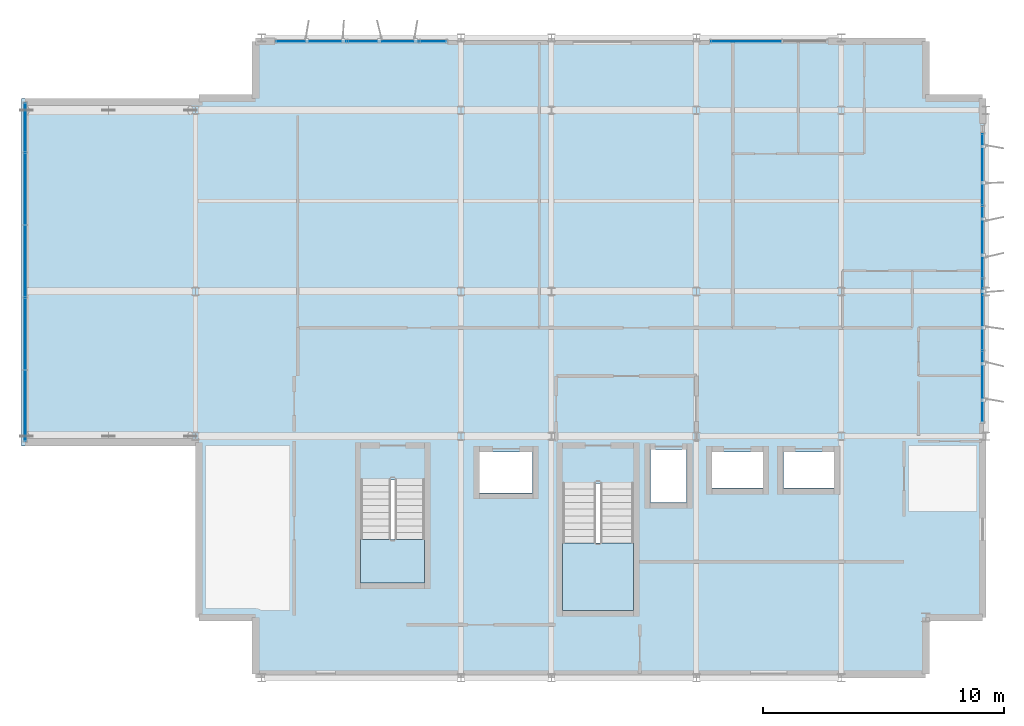
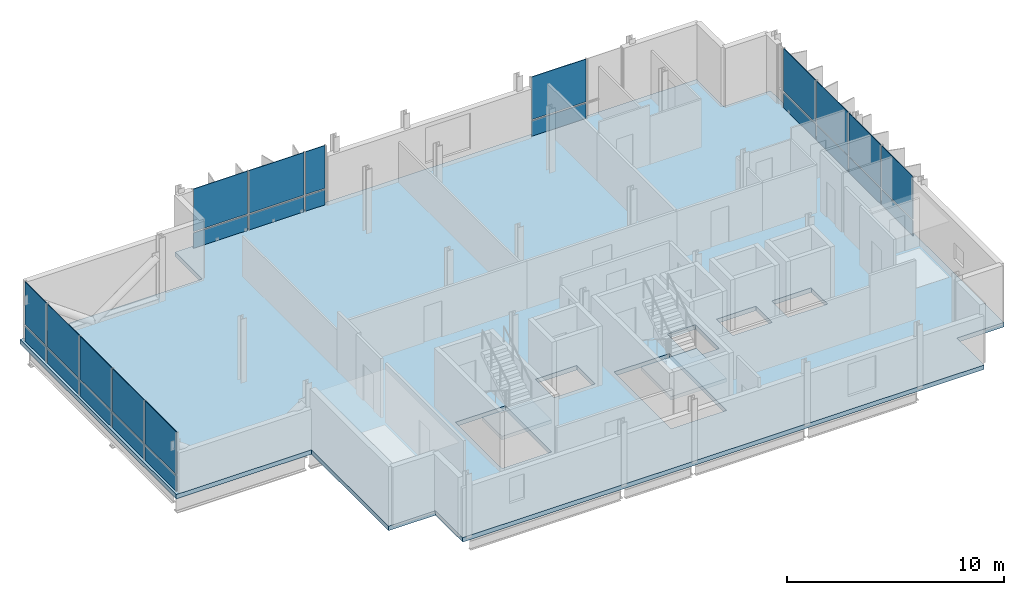
# One storey, part 10 of 18: 26 plates, 3 slabs, 6 elements without a shape of their own.
"""IFC4 building model written with IfcOpenShell, lengths in metres."""

from ifc_helpers import new_model, si_unit, direction, frame, origin, origin_2d, place, context, subcontext, project, spatial, polyline, rectangle, outline, extrude, material, layer, layer_set, type_object, element, aggregate, save


model = new_model("IFC4")

# Units and contexts
model_context = context("Model", 3, precision=1e-05, world=origin(), true_north=direction((0.0, 1.0)))
body_context = subcontext(model_context, "Body", "Model", "MODEL_VIEW")
ifc_project = project(units=[si_unit("LENGTHUNIT", "METRE"), si_unit("AREAUNIT", "SQUARE_METRE"), si_unit("VOLUMEUNIT", "CUBIC_METRE"), si_unit("PLANEANGLEUNIT", "RADIAN"), si_unit("MASSUNIT", "GRAM", prefix="KILO")], contexts=[model_context])

# Site, building, storey
site_placement = place(None, origin())
site = spatial("IfcSite", under=ifc_project, at=site_placement, CompositionType="ELEMENT")
building_placement = place(site_placement, origin())
building = spatial("IfcBuilding", under=site, at=building_placement, Name="Brevholm Reach", CompositionType="ELEMENT")
storey_placement = place(building_placement, frame((0.0, 0.0, 243.64990234375)))
storey = spatial("IfcBuildingStorey", under=building, at=storey_placement, Name="L74", CompositionType="ELEMENT", Elevation=243.64990234375)

# Curtain wall, plates
ifc_material_1 = material(Name="Dark Anodised Aluminium 6063-T6 and Solar-Control Glass", Category="aluminium")
ifc_layer_1 = layer(ifc_material_1, 0.179931640625)
ifc_layer_set_1 = layer_set([ifc_layer_1], Name="Dark Anodised Aluminium 6063-T6 and Solar-Control Glass")
curtain_wall_type = type_object("IfcCurtainWallType", Name="CW-05", PredefinedType="NOTDEFINED", material=ifc_layer_set_1)
curtain_wall_1_placement = place(storey_placement, origin())
curtain_wall_1 = element("IfcCurtainWall", 1, at=curtain_wall_1_placement, inside=storey, type_object=curtain_wall_type, Name="L74 Curtain Wall CW-05", PredefinedType="NOTDEFINED")
ifc_material_2 = material(Name="Low-Iron Laminated Acoustic Glass", Category="glass")
ifc_layer_2 = layer(ifc_material_2, 0.035888671875)
ifc_layer_set_2 = layer_set([ifc_layer_2], Name="Low-Iron Laminated Acoustic Glass")
plate_type = type_object("IfcPlateType", Name="CWP-GLZ-36", PredefinedType="CURTAIN_PANEL", material=ifc_layer_set_2)
plate_1_placement = place(storey_placement, frame((59.85009765625, 12.06884765625, 0.0), z_axis=(0.0, 0.0, 1.0), x_axis=(0.0, 1.0, 0.0)))
plate_1 = element("IfcPlate", 2, at=plate_1_placement, type_object=plate_type, Name="CP-02 Glazing Panel 1.1", PredefinedType="CURTAIN_PANEL", context=body_context, shape_type="SweptSolid", body=[
    extrude(rectangle(XDim=2.887451171875, YDim=0.035888671875, at=origin_2d()), origin(), (0.0, 0.0, 1.0), 0.862548828125),
])
plate_2_placement = place(storey_placement, frame((59.85009765625, 12.06884765625, 0.9375), z_axis=(0.0, 0.0, 1.0), x_axis=(0.0, 1.0, 0.0)))
plate_2 = element("IfcPlate", 3, at=plate_2_placement, type_object=plate_type, Name="CP-02 Glazing Panel 1.2", PredefinedType="CURTAIN_PANEL", context=body_context, shape_type="SweptSolid", body=[
    extrude(rectangle(XDim=2.887451171875, YDim=0.035888671875, at=origin_2d()), origin(), (0.0, 0.0, 1.0), 2.402587890625),
])
plate_3_placement = place(storey_placement, frame((59.85009765625, 15.050048828125, 0.0), z_axis=(0.0, 0.0, 1.0), x_axis=(0.0, 1.0, 0.0)))
plate_3 = element("IfcPlate", 4, at=plate_3_placement, type_object=plate_type, Name="CP-02 Glazing Panel 2.1", PredefinedType="CURTAIN_PANEL", context=body_context, shape_type="SweptSolid", body=[
    extrude(rectangle(XDim=2.925048828125, YDim=0.035888671875, at=origin_2d()), origin(), (0.0, 0.0, 1.0), 0.862548828125),
])
plate_4_placement = place(storey_placement, frame((59.85009765625, 15.050048828125, 0.9375), z_axis=(0.0, 0.0, 1.0), x_axis=(0.0, 1.0, 0.0)))
plate_4 = element("IfcPlate", 5, at=plate_4_placement, type_object=plate_type, Name="CP-02 Glazing Panel 2.2", PredefinedType="CURTAIN_PANEL", context=body_context, shape_type="SweptSolid", body=[
    extrude(rectangle(XDim=2.925048828125, YDim=0.035888671875, at=origin_2d()), origin(), (0.0, 0.0, 1.0), 2.402587890625),
])
plate_5_placement = place(storey_placement, frame((59.85009765625, 18.050048828125, 0.0), z_axis=(0.0, 0.0, 1.0), x_axis=(0.0, 1.0, 0.0)))
plate_5 = element("IfcPlate", 6, at=plate_5_placement, type_object=plate_type, Name="CP-02 Glazing Panel 3.1", PredefinedType="CURTAIN_PANEL", context=body_context, shape_type="SweptSolid", body=[
    extrude(rectangle(XDim=2.925048828125, YDim=0.035888671875, at=origin_2d()), origin(), (0.0, 0.0, 1.0), 0.862548828125),
])
plate_6_placement = place(storey_placement, frame((59.85009765625, 18.050048828125, 0.9375), z_axis=(0.0, 0.0, 1.0), x_axis=(0.0, 1.0, 0.0)))
plate_6 = element("IfcPlate", 7, at=plate_6_placement, type_object=plate_type, Name="CP-02 Glazing Panel 3.2", PredefinedType="CURTAIN_PANEL", context=body_context, shape_type="SweptSolid", body=[
    extrude(rectangle(XDim=2.925048828125, YDim=0.035888671875, at=origin_2d()), origin(), (0.0, 0.0, 1.0), 2.402587890625),
])
plate_7_placement = place(storey_placement, frame((59.85009765625, 21.050048828125, 0.0), z_axis=(0.0, 0.0, 1.0), x_axis=(0.0, 1.0, 0.0)))
plate_7 = element("IfcPlate", 8, at=plate_7_placement, type_object=plate_type, Name="CP-02 Glazing Panel 4.1", PredefinedType="CURTAIN_PANEL", context=body_context, shape_type="SweptSolid", body=[
    extrude(rectangle(XDim=2.925048828125, YDim=0.035888671875, at=origin_2d()), origin(), (0.0, 0.0, 1.0), 0.862548828125),
])
plate_8_placement = place(storey_placement, frame((59.85009765625, 21.050048828125, 0.9375), z_axis=(0.0, 0.0, 1.0), x_axis=(0.0, 1.0, 0.0)))
plate_8 = element("IfcPlate", 9, at=plate_8_placement, type_object=plate_type, Name="CP-02 Glazing Panel 4.2", PredefinedType="CURTAIN_PANEL", context=body_context, shape_type="SweptSolid", body=[
    extrude(rectangle(XDim=2.925048828125, YDim=0.035888671875, at=origin_2d()), origin(), (0.0, 0.0, 1.0), 2.402587890625),
])
aggregate(curtain_wall_1, [plate_1, plate_2, plate_3, plate_4, plate_5, plate_6, plate_7, plate_8])

curtain_wall_2_placement = place(storey_placement, origin())
curtain_wall_2 = element("IfcCurtainWall", 10, at=curtain_wall_2_placement, inside=storey, type_object=curtain_wall_type, Name="L74 Curtain Wall CW-05", PredefinedType="NOTDEFINED")
plate_9_placement = place(storey_placement, frame((32.06884765625, 26.35009765625, 0.0), z_axis=(0.0, 0.0, 1.0), x_axis=(1.0, 0.0, 0.0)))
plate_9 = element("IfcPlate", 11, at=plate_9_placement, type_object=plate_type, Name="CP-02 Glazing Panel 1.1", PredefinedType="CURTAIN_PANEL", context=body_context, shape_type="SweptSolid", body=[
    extrude(rectangle(XDim=2.887451171875, YDim=0.035888671875, at=origin_2d()), origin(), (0.0, 0.0, 1.0), 0.862548828125),
])
plate_10_placement = place(storey_placement, frame((32.06884765625, 26.35009765625, 0.9375), z_axis=(0.0, 0.0, 1.0), x_axis=(1.0, 0.0, 0.0)))
plate_10 = element("IfcPlate", 12, at=plate_10_placement, type_object=plate_type, Name="CP-02 Glazing Panel 1.2", PredefinedType="CURTAIN_PANEL", context=body_context, shape_type="SweptSolid", body=[
    extrude(rectangle(XDim=2.887451171875, YDim=0.035888671875, at=origin_2d()), origin(), (0.0, 0.0, 1.0), 2.402587890625),
])
plate_11_placement = place(storey_placement, frame((35.050048828125, 26.35009765625, 0.0), z_axis=(0.0, 0.0, 1.0), x_axis=(1.0, 0.0, 0.0)))
plate_11 = element("IfcPlate", 13, at=plate_11_placement, type_object=plate_type, Name="CP-02 Glazing Panel 2.1", PredefinedType="CURTAIN_PANEL", context=body_context, shape_type="SweptSolid", body=[
    extrude(rectangle(XDim=2.925048828125, YDim=0.035888671875, at=origin_2d()), origin(), (0.0, 0.0, 1.0), 0.862548828125),
])
plate_12_placement = place(storey_placement, frame((35.050048828125, 26.35009765625, 0.9375), z_axis=(0.0, 0.0, 1.0), x_axis=(1.0, 0.0, 0.0)))
plate_12 = element("IfcPlate", 14, at=plate_12_placement, type_object=plate_type, Name="CP-02 Glazing Panel 2.2", PredefinedType="CURTAIN_PANEL", context=body_context, shape_type="SweptSolid", body=[
    extrude(rectangle(XDim=2.925048828125, YDim=0.035888671875, at=origin_2d()), origin(), (0.0, 0.0, 1.0), 2.402587890625),
])
plate_13_placement = place(storey_placement, frame((37.106201171875, 26.35009765625, 0.0), z_axis=(0.0, 0.0, 1.0), x_axis=(1.0, 0.0, 0.0)))
plate_13 = element("IfcPlate", 15, at=plate_13_placement, type_object=plate_type, Name="CP-02 Glazing Panel 3.1", PredefinedType="CURTAIN_PANEL", context=body_context, shape_type="SweptSolid", body=[
    extrude(rectangle(XDim=1.03759765625, YDim=0.035888671875, at=origin_2d()), origin(), (0.0, 0.0, 1.0), 0.862548828125),
])
plate_14_placement = place(storey_placement, frame((37.106201171875, 26.35009765625, 0.9375), z_axis=(0.0, 0.0, 1.0), x_axis=(1.0, 0.0, 0.0)))
plate_14 = element("IfcPlate", 16, at=plate_14_placement, type_object=plate_type, Name="CP-02 Glazing Panel 3.2", PredefinedType="CURTAIN_PANEL", context=body_context, shape_type="SweptSolid", body=[
    extrude(rectangle(XDim=1.03759765625, YDim=0.035888671875, at=origin_2d()), origin(), (0.0, 0.0, 1.0), 2.402587890625),
])
aggregate(curtain_wall_2, [plate_9, plate_10, plate_11, plate_12, plate_13, plate_14])

curtain_wall_3_placement = place(storey_placement, origin())
curtain_wall_3 = element("IfcCurtainWall", 17, at=curtain_wall_3_placement, inside=storey, type_object=curtain_wall_type, Name="L74 Curtain Wall CW-05", PredefinedType="NOTDEFINED")
plate_15_placement = place(storey_placement, frame((50.06884765625, 26.35009765625, 0.0), z_axis=(0.0, 0.0, 1.0), x_axis=(1.0, 0.0, 0.0)))
plate_15 = element("IfcPlate", 18, at=plate_15_placement, type_object=plate_type, Name="CP-02 Glazing Panel 1.1", PredefinedType="CURTAIN_PANEL", context=body_context, shape_type="SweptSolid", body=[
    extrude(rectangle(XDim=2.887451171875, YDim=0.035888671875, at=origin_2d()), origin(), (0.0, 0.0, 1.0), 0.862548828125),
])
plate_16_placement = place(storey_placement, frame((50.06884765625, 26.35009765625, 0.9375), z_axis=(0.0, 0.0, 1.0), x_axis=(1.0, 0.0, 0.0)))
plate_16 = element("IfcPlate", 19, at=plate_16_placement, type_object=plate_type, Name="CP-02 Glazing Panel 1.2", PredefinedType="CURTAIN_PANEL", context=body_context, shape_type="SweptSolid", body=[
    extrude(rectangle(XDim=2.887451171875, YDim=0.035888671875, at=origin_2d()), origin(), (0.0, 0.0, 1.0), 2.402587890625),
])
aggregate(curtain_wall_3, [plate_15, plate_16])

curtain_wall_4_placement = place(storey_placement, origin())
curtain_wall_4 = element("IfcCurtainWall", 20, at=curtain_wall_4_placement, inside=storey, type_object=curtain_wall_type, Name="L74 Curtain Wall CW-05", PredefinedType="NOTDEFINED")
plate_17_placement = place(storey_placement, frame((20.199951171875, 11.268798828125, 0.0), z_axis=(0.0, 0.0, 1.0), x_axis=(0.0, 1.0, 0.0)))
plate_17 = element("IfcPlate", 21, at=plate_17_placement, type_object=plate_type, Name="CP-02 Glazing Panel 1.1", PredefinedType="CURTAIN_PANEL", context=body_context, shape_type="SweptSolid", body=[
    extrude(rectangle(XDim=2.887451171875, YDim=0.035888671875, at=origin_2d()), origin(), (0.0, 0.0, 1.0), 0.862548828125),
])
plate_18_placement = place(storey_placement, frame((20.199951171875, 11.268798828125, 0.9375), z_axis=(0.0, 0.0, 1.0), x_axis=(0.0, 1.0, 0.0)))
plate_18 = element("IfcPlate", 22, at=plate_18_placement, type_object=plate_type, Name="CP-02 Glazing Panel 1.2", PredefinedType="CURTAIN_PANEL", context=body_context, shape_type="SweptSolid", body=[
    extrude(rectangle(XDim=2.887451171875, YDim=0.035888671875, at=origin_2d()), origin(), (0.0, 0.0, 1.0), 2.402587890625),
])
plate_19_placement = place(storey_placement, frame((20.199951171875, 14.25, 0.0), z_axis=(0.0, 0.0, 1.0), x_axis=(0.0, 1.0, 0.0)))
plate_19 = element("IfcPlate", 23, at=plate_19_placement, type_object=plate_type, Name="CP-02 Glazing Panel 2.1", PredefinedType="CURTAIN_PANEL", context=body_context, shape_type="SweptSolid", body=[
    extrude(rectangle(XDim=2.925048828125, YDim=0.035888671875, at=origin_2d()), origin(), (0.0, 0.0, 1.0), 0.862548828125),
])
plate_20_placement = place(storey_placement, frame((20.199951171875, 14.25, 0.9375), z_axis=(0.0, 0.0, 1.0), x_axis=(0.0, 1.0, 0.0)))
plate_20 = element("IfcPlate", 24, at=plate_20_placement, type_object=plate_type, Name="CP-02 Glazing Panel 2.2", PredefinedType="CURTAIN_PANEL", context=body_context, shape_type="SweptSolid", body=[
    extrude(rectangle(XDim=2.925048828125, YDim=0.035888671875, at=origin_2d()), origin(), (0.0, 0.0, 1.0), 2.402587890625),
])
plate_21_placement = place(storey_placement, frame((20.199951171875, 17.25, 0.0), z_axis=(0.0, 0.0, 1.0), x_axis=(0.0, 1.0, 0.0)))
plate_21 = element("IfcPlate", 25, at=plate_21_placement, type_object=plate_type, Name="CP-02 Glazing Panel 3.1", PredefinedType="CURTAIN_PANEL", context=body_context, shape_type="SweptSolid", body=[
    extrude(rectangle(XDim=2.925048828125, YDim=0.035888671875, at=origin_2d()), origin(), (0.0, 0.0, 1.0), 0.862548828125),
])
plate_22_placement = place(storey_placement, frame((20.199951171875, 17.25, 0.9375), z_axis=(0.0, 0.0, 1.0), x_axis=(0.0, 1.0, 0.0)))
plate_22 = element("IfcPlate", 26, at=plate_22_placement, type_object=plate_type, Name="CP-02 Glazing Panel 3.2", PredefinedType="CURTAIN_PANEL", context=body_context, shape_type="SweptSolid", body=[
    extrude(rectangle(XDim=2.925048828125, YDim=0.035888671875, at=origin_2d()), origin(), (0.0, 0.0, 1.0), 2.402587890625),
])
plate_23_placement = place(storey_placement, frame((20.199951171875, 20.25, 0.0), z_axis=(0.0, 0.0, 1.0), x_axis=(0.0, 1.0, 0.0)))
plate_23 = element("IfcPlate", 27, at=plate_23_placement, type_object=plate_type, Name="CP-02 Glazing Panel 4.1", PredefinedType="CURTAIN_PANEL", context=body_context, shape_type="SweptSolid", body=[
    extrude(rectangle(XDim=2.925048828125, YDim=0.035888671875, at=origin_2d()), origin(), (0.0, 0.0, 1.0), 0.862548828125),
])
plate_24_placement = place(storey_placement, frame((20.199951171875, 20.25, 0.9375), z_axis=(0.0, 0.0, 1.0), x_axis=(0.0, 1.0, 0.0)))
plate_24 = element("IfcPlate", 28, at=plate_24_placement, type_object=plate_type, Name="CP-02 Glazing Panel 4.2", PredefinedType="CURTAIN_PANEL", context=body_context, shape_type="SweptSolid", body=[
    extrude(rectangle(XDim=2.925048828125, YDim=0.035888671875, at=origin_2d()), origin(), (0.0, 0.0, 1.0), 2.402587890625),
])
plate_25_placement = place(storey_placement, frame((20.199951171875, 22.78125, 0.0), z_axis=(0.0, 0.0, 1.0), x_axis=(0.0, 1.0, 0.0)))
plate_25 = element("IfcPlate", 29, at=plate_25_placement, type_object=plate_type, Name="CP-02 Glazing Panel 5.1", PredefinedType="CURTAIN_PANEL", context=body_context, shape_type="SweptSolid", body=[
    extrude(rectangle(XDim=1.987548828125, YDim=0.035888671875, at=origin_2d()), origin(), (0.0, 0.0, 1.0), 0.862548828125),
])
plate_26_placement = place(storey_placement, frame((20.199951171875, 22.78125, 0.9375), z_axis=(0.0, 0.0, 1.0), x_axis=(0.0, 1.0, 0.0)))
plate_26 = element("IfcPlate", 30, at=plate_26_placement, type_object=plate_type, Name="CP-02 Glazing Panel 5.2", PredefinedType="CURTAIN_PANEL", context=body_context, shape_type="SweptSolid", body=[
    extrude(rectangle(XDim=1.987548828125, YDim=0.035888671875, at=origin_2d()), origin(), (0.0, 0.0, 1.0), 2.402587890625),
])
aggregate(curtain_wall_4, [plate_17, plate_18, plate_19, plate_20, plate_21, plate_22, plate_23, plate_24, plate_25, plate_26])

# Slab
ifc_material_3 = material(Name="Concrete C40/50", Category="concrete")
ifc_layer_3 = layer(ifc_material_3, 0.25)
ifc_layer_set_3 = layer_set([ifc_layer_3], Name="Concrete C40/50")
slab_type_1 = type_object("IfcSlabType", Name="SLB-FL-250", PredefinedType="FLOOR", material=ifc_layer_set_3)
slab_1_placement = place(storey_placement, frame((0.0, 0.0, -0.25)))
element("IfcSlab", 31, at=slab_1_placement, inside=storey, type_object=slab_type_1, Name="L74 Suspended Floor Slab (sky-lounge)", PredefinedType="FLOOR", context=body_context, shape_type="SweptSolid", body=[
    extrude(outline(polyline([(29.75, 0.0), (57.5, 0.0), (57.5, 2.5), (60.0, 2.5), (60.0, 24.0), (57.5, 24.0), (57.5, 26.5), (29.75, 26.5), (29.75, 24.0), (20.050048828125, 24.0), (20.050048828125, 9.60009765625), (27.25, 9.60009765625), (27.25, 2.5), (29.75, 2.5), (29.75, 0.0)]), holes=[polyline([(42.449951171875, 2.780029296875), (45.39990234375, 2.780029296875), (45.39990234375, 8.044921875), (42.449951171875, 8.044921875), (42.449951171875, 2.780029296875)]), polyline([(34.10009765625, 3.919921875), (36.75, 3.919921875), (36.75, 8.195068359375), (34.10009765625, 8.195068359375), (34.10009765625, 3.919921875)]), polyline([(46.10009765625, 7.25), (47.60009765625, 7.25), (47.60009765625, 9.449951171875), (46.10009765625, 9.449951171875), (46.10009765625, 7.25)]), polyline([(39.02001953125, 7.64990234375), (41.219970703125, 7.64990234375), (41.219970703125, 9.35009765625), (39.02001953125, 9.35009765625), (39.02001953125, 7.64990234375)]), polyline([(48.64990234375, 7.85009765625), (50.75, 7.85009765625), (50.75, 9.35009765625), (48.64990234375, 9.35009765625), (48.64990234375, 7.85009765625)]), polyline([(51.60009765625, 7.85009765625), (53.699951171875, 7.85009765625), (53.699951171875, 9.35009765625), (51.60009765625, 9.35009765625), (51.60009765625, 7.85009765625)])]), origin(), (0.0, 0.0, 1.0), 0.25),
])

# Stair, slab
ifc_material_4 = material(Name="Precast Concrete C40/50", Category="concrete")
stair_type_1 = type_object("IfcStairType", Name="STR-ESC-1400", PredefinedType="DOUBLE_RETURN_STAIR", material=ifc_material_4)
stair_1_placement = place(storey_placement, origin())
stair_1 = element("IfcStair", 32, at=stair_1_placement, inside=storey, type_object=stair_type_1, Name="L74 ST-2", PredefinedType="DOUBLE_RETURN_STAIR")
ifc_material_5 = material(Name="Concrete C40/50", Category="concrete")
ifc_layer_4 = layer(ifc_material_5, 0.199951171875)
ifc_layer_set_4 = layer_set([ifc_layer_4], Name="Concrete C40/50")
slab_type_2 = type_object("IfcSlabType", Name="SLB-LND-200", PredefinedType="LANDING", material=ifc_layer_set_4)
slab_2_placement = place(storey_placement, frame((0.0, 0.0, 1.60009765625)))
slab_2 = element("IfcSlab", 33, at=slab_2_placement, type_object=slab_type_2, Name="ST-2 landing 1", PredefinedType="LANDING", context=body_context, shape_type="SweptSolid", body=[
    extrude(outline(polyline([(42.449951171875, 5.580078125), (42.449951171875, 2.780029296875), (45.39990234375, 2.780029296875), (45.39990234375, 5.580078125), (42.449951171875, 5.580078125)])), origin(), (0.0, 0.0, 1.0), 0.199951171875),
])
aggregate(stair_1, [slab_2])

ifc_material_6 = material(Name="Precast Concrete C40/50", Category="concrete")
stair_type_2 = type_object("IfcStairType", Name="STR-ESC-1250", PredefinedType="DOUBLE_RETURN_STAIR", material=ifc_material_6)
stair_2_placement = place(storey_placement, origin())
stair_2 = element("IfcStair", 34, at=stair_2_placement, inside=storey, type_object=stair_type_2, Name="L74 ST-3", PredefinedType="DOUBLE_RETURN_STAIR")
slab_3_placement = place(storey_placement, frame((0.0, 0.0, 1.60009765625)))
slab_3 = element("IfcSlab", 35, at=slab_3_placement, type_object=slab_type_2, Name="ST-3 landing 1", PredefinedType="LANDING", context=body_context, shape_type="SweptSolid", body=[
    extrude(outline(polyline([(34.10009765625, 5.72998046875), (34.10009765625, 3.919921875), (36.75, 3.919921875), (36.75, 5.72998046875), (34.10009765625, 5.72998046875)])), origin(), (0.0, 0.0, 1.0), 0.199951171875),
])
aggregate(stair_2, [slab_3])

save(model, "model.ifc")
